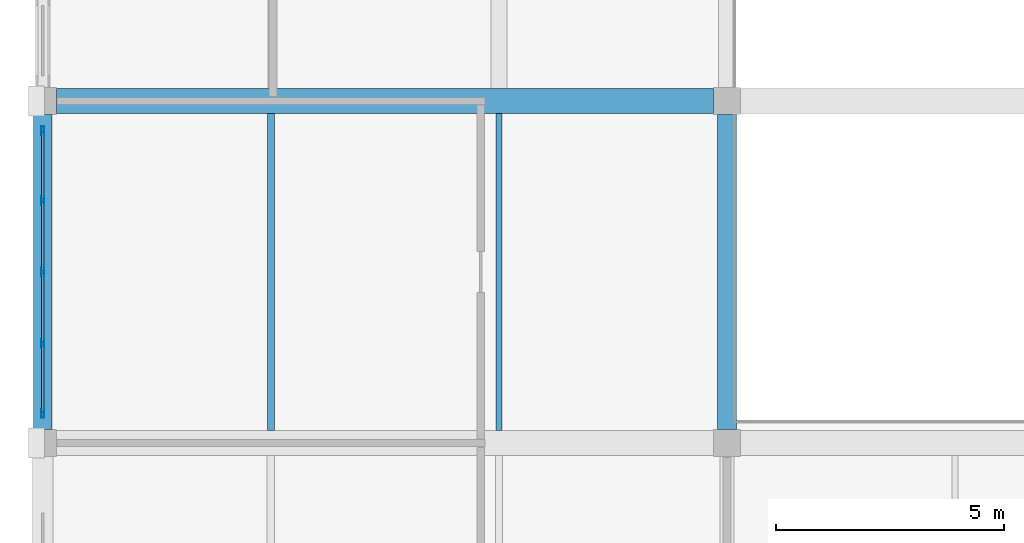
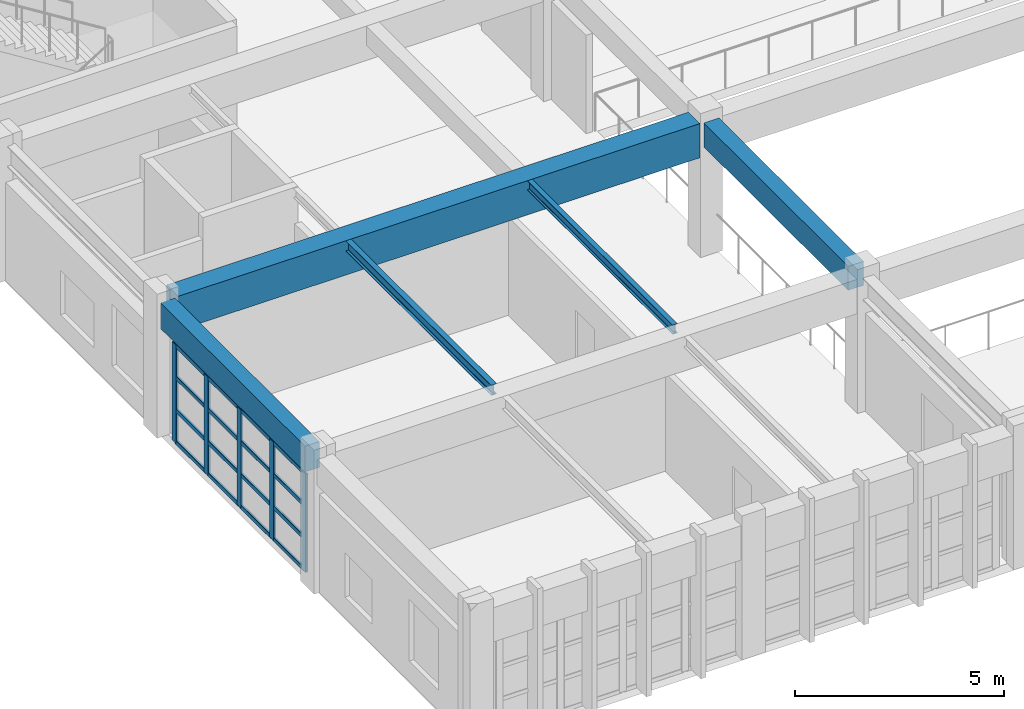
# One storey, part 4 of 124: 21 members, 5 beams, 1 element without a shape of its own.
"""IFC4 building model written with IfcOpenShell, lengths in metres."""

from ifc_helpers import new_model, si_unit, direction, frame, origin, origin_2d, place, context, subcontext, project, spatial, rectangle, hollow_rectangle, i_section, extrude, material, material_profile, profile_set, type_object, element, aggregate, save


model = new_model("IFC4")

# Units and contexts
model_context = context("Model", 3, precision=1e-05, world=origin(), true_north=direction((0.0, 1.0)))
body_context = subcontext(model_context, "Body", "Model", "MODEL_VIEW")
ifc_project = project(units=[si_unit("LENGTHUNIT", "METRE"), si_unit("AREAUNIT", "SQUARE_METRE"), si_unit("VOLUMEUNIT", "CUBIC_METRE"), si_unit("PLANEANGLEUNIT", "RADIAN"), si_unit("MASSUNIT", "GRAM", prefix="KILO")], contexts=[model_context])

# Site, building, storey
site_placement = place(None, origin())
site = spatial("IfcSite", under=ifc_project, at=site_placement, CompositionType="ELEMENT")
building_placement = place(site_placement, origin())
building = spatial("IfcBuilding", under=site, at=building_placement, Name="Qasida Concert Hall", CompositionType="ELEMENT")
storey_placement = place(building_placement, frame((0.0, 0.0, 9.0)))
storey = spatial("IfcBuildingStorey", under=building, at=storey_placement, Name="L02", CompositionType="ELEMENT", Elevation=9.0)

# Beams
ifc_material_1 = material(Name="Concrete C40/50", Category="concrete")
ifc_material_profile_1 = material_profile(ifc_material_1, rectangle(XDim=0.419921875, YDim=0.699951171875, at=origin_2d()), Name="RC 420x700")
ifc_profile_set_1 = profile_set([ifc_material_profile_1], Name="Concrete C40/50")
beam_type_1 = type_object("IfcBeamType", Name="BM-B11", PredefinedType="BEAM", material=ifc_profile_set_1)
beam_1_placement = place(storey_placement, frame((15.0, 7.800048828125, 3.550048828125), z_axis=(0.0, 1.0, 0.0), x_axis=(-1.0, 0.0, 0.0)))
element("IfcBeam", 1, at=beam_1_placement, inside=storey, type_object=beam_type_1, Name="L02 girder 1301", PredefinedType="BEAM", context=body_context, shape_type="SweptSolid", body=[
    extrude(rectangle(XDim=0.419921875, YDim=0.699951171875, at=origin_2d()), origin(), (0.0, 0.0, 1.0), 6.89990234375),
])
ifc_material_profile_2 = material_profile(ifc_material_1, rectangle(XDim=0.550048828125, YDim=1.0, at=origin_2d()), Name="RC 550x1000")
ifc_profile_set_2 = profile_set([ifc_material_profile_2], Name="Concrete C40/50")
beam_type_2 = type_object("IfcBeamType", Name="BM-G3", PredefinedType="USERDEFINED", material=ifc_profile_set_2)
beam_2_placement = place(storey_placement, frame((0.300048828125, 15.0, 3.39990234375), z_axis=(1.0, 0.0, 0.0), x_axis=(0.0, 1.0, 0.0)))
element("IfcBeam", 2, at=beam_2_placement, inside=storey, type_object=beam_type_2, Name="Primary girder 1275", ObjectType="GIRDER", PredefinedType="USERDEFINED", context=body_context, shape_type="SweptSolid", body=[
    extrude(rectangle(XDim=0.550048828125, YDim=1.0, at=origin_2d()), origin(), (0.0, 0.0, 1.0), 14.39990234375),
])
ifc_material_2 = material(Name="Steel S355J2", Category="steel")
ifc_material_profile_3 = material_profile(ifc_material_2, i_section(OverallWidth=0.14990234375, OverallDepth=0.300048828125, WebThickness=0.007080078125, FlangeThickness=0.0107421875, FilletRadius=0.014892578125, at=origin_2d()), Name="IPE 300")
ifc_profile_set_3 = profile_set([ifc_material_profile_3], Name="Steel S355J2")
beam_type_3 = type_object("IfcBeamType", Name="BM-J4", PredefinedType="JOIST", material=ifc_profile_set_3)
beam_3_placement = place(storey_placement, frame((5.0, 7.77490234375, 3.75), z_axis=(0.0, 1.0, 0.0), x_axis=(-1.0, 0.0, 0.0)))
element("IfcBeam", 3, at=beam_3_placement, inside=storey, type_object=beam_type_3, Name="L02 secondary joist 1323", PredefinedType="JOIST", context=body_context, shape_type="SweptSolid", body=[
    extrude(i_section(OverallWidth=0.14990234375, OverallDepth=0.300048828125, WebThickness=0.007080078125, FlangeThickness=0.0107421875, FilletRadius=0.014892578125, at=origin_2d()), origin(), (0.0, 0.0, 1.0), 6.9501953125),
])
ifc_material_profile_4 = material_profile(ifc_material_2, i_section(OverallWidth=0.135009765625, OverallDepth=0.27001953125, WebThickness=0.006591796875, FlangeThickness=0.01025390625, FilletRadius=0.014892578125, at=origin_2d()), Name="IPE 270")
ifc_profile_set_4 = profile_set([ifc_material_profile_4], Name="Steel S355J2")
beam_type_4 = type_object("IfcBeamType", Name="BM-J6", PredefinedType="JOIST", material=ifc_profile_set_4)
beam_4_placement = place(storey_placement, frame((10.0, 7.77490234375, 3.764892578125), z_axis=(0.0, 1.0, 0.0), x_axis=(-1.0, 0.0, 0.0)))
element("IfcBeam", 4, at=beam_4_placement, inside=storey, type_object=beam_type_4, Name="L02 secondary joist 1324", PredefinedType="JOIST", context=body_context, shape_type="SweptSolid", body=[
    extrude(i_section(OverallWidth=0.135009765625, OverallDepth=0.27001953125, WebThickness=0.006591796875, FlangeThickness=0.01025390625, FilletRadius=0.014892578125, at=origin_2d()), origin(), (0.0, 0.0, 1.0), 6.9501953125),
])
ifc_material_profile_5 = material_profile(ifc_material_1, rectangle(XDim=0.39990234375, YDim=0.75, at=origin_2d()), Name="RC 400x750")
ifc_profile_set_5 = profile_set([ifc_material_profile_5], Name="Concrete C40/50")
beam_type_5 = type_object("IfcBeamType", Name="BM-SP1", PredefinedType="SPANDREL", material=ifc_profile_set_5)
beam_5_placement = place(storey_placement, frame((0.0, 7.800048828125, 3.52490234375), z_axis=(0.0, 1.0, 0.0), x_axis=(-1.0, 0.0, 0.0)))
element("IfcBeam", 5, at=beam_5_placement, inside=storey, type_object=beam_type_5, Name="L02 girder 1294", PredefinedType="SPANDREL", context=body_context, shape_type="SweptSolid", body=[
    extrude(rectangle(XDim=0.39990234375, YDim=0.75, at=origin_2d()), origin(), (0.0, 0.0, 1.0), 6.89990234375),
])

# Curtain wall, members
ifc_material_3 = material(Name="Architectural bronze-anodized aluminium and low-E glass", Category="aluminium")
curtain_wall_type = type_object("IfcCurtainWallType", Name="CW-08", PredefinedType="NOTDEFINED", material=ifc_material_3)
curtain_wall_placement = place(storey_placement, origin())
curtain_wall = element("IfcCurtainWall", 6, at=curtain_wall_placement, inside=storey, type_object=curtain_wall_type, Name="L02 curtain wall CW-08 0110", PredefinedType="NOTDEFINED")
ifc_material_4 = material(Name="Architectural bronze-anodized aluminium EN AW-6063", Category="aluminium")
ifc_material_profile_6 = material_profile(ifc_material_4, hollow_rectangle(XDim=0.06494140625, YDim=0.199951171875, WallThickness=0.0048828125, InnerFilletRadius=0.0048828125, OuterFilletRadius=0.010009765625, at=origin_2d()), Name="CWM 200x65x5")
ifc_profile_set_6 = profile_set([ifc_material_profile_6], Name="Architectural bronze-anodized aluminium EN AW-6063")
member_type_1 = type_object("IfcMemberType", Name="MB-CWM-2", PredefinedType="MULLION", material=ifc_profile_set_6)
member_1_placement = place(storey_placement, frame((0.0, 8.152587890625, 0.0), z_axis=(0.0, 0.0, 1.0), x_axis=(-1.0, 0.0, 0.0)))
member_1 = element("IfcMember", 7, at=member_1_placement, type_object=member_type_1, Name="CW-08 mullion 1", PredefinedType="MULLION", context=body_context, shape_type="SweptSolid", body=[
    extrude(hollow_rectangle(XDim=0.06494140625, YDim=0.199951171875, WallThickness=0.0048828125, InnerFilletRadius=0.0048828125, OuterFilletRadius=0.010009765625, at=origin_2d()), origin(), (0.0, 0.0, 1.0), 2.8701171875),
])
member_2_placement = place(storey_placement, frame((0.0, 9.68505859375, 0.0), z_axis=(0.0, 0.0, 1.0), x_axis=(-1.0, 0.0, 0.0)))
member_2 = element("IfcMember", 8, at=member_2_placement, type_object=member_type_1, Name="CW-08 mullion 2", PredefinedType="MULLION", context=body_context, shape_type="SweptSolid", body=[
    extrude(hollow_rectangle(XDim=0.06494140625, YDim=0.199951171875, WallThickness=0.0048828125, InnerFilletRadius=0.0048828125, OuterFilletRadius=0.010009765625, at=origin_2d()), origin(), (0.0, 0.0, 1.0), 2.8701171875),
])
member_3_placement = place(storey_placement, frame((0.0, 11.25, 0.0), z_axis=(0.0, 0.0, 1.0), x_axis=(-1.0, 0.0, 0.0)))
member_3 = element("IfcMember", 9, at=member_3_placement, type_object=member_type_1, Name="CW-08 mullion 3", PredefinedType="MULLION", context=body_context, shape_type="SweptSolid", body=[
    extrude(hollow_rectangle(XDim=0.06494140625, YDim=0.199951171875, WallThickness=0.0048828125, InnerFilletRadius=0.0048828125, OuterFilletRadius=0.010009765625, at=origin_2d()), origin(), (0.0, 0.0, 1.0), 2.8701171875),
])
member_4_placement = place(storey_placement, frame((0.0, 12.81494140625, 0.0), z_axis=(0.0, 0.0, 1.0), x_axis=(-1.0, 0.0, 0.0)))
member_4 = element("IfcMember", 10, at=member_4_placement, type_object=member_type_1, Name="CW-08 mullion 4", PredefinedType="MULLION", context=body_context, shape_type="SweptSolid", body=[
    extrude(hollow_rectangle(XDim=0.06494140625, YDim=0.199951171875, WallThickness=0.0048828125, InnerFilletRadius=0.0048828125, OuterFilletRadius=0.010009765625, at=origin_2d()), origin(), (0.0, 0.0, 1.0), 2.8701171875),
])
member_5_placement = place(storey_placement, frame((0.0, 14.347412109375, 0.0), z_axis=(0.0, 0.0, 1.0), x_axis=(-1.0, 0.0, 0.0)))
member_5 = element("IfcMember", 11, at=member_5_placement, type_object=member_type_1, Name="CW-08 mullion 5", PredefinedType="MULLION", context=body_context, shape_type="SweptSolid", body=[
    extrude(hollow_rectangle(XDim=0.06494140625, YDim=0.199951171875, WallThickness=0.0048828125, InnerFilletRadius=0.0048828125, OuterFilletRadius=0.010009765625, at=origin_2d()), origin(), (0.0, 0.0, 1.0), 2.8701171875),
])
ifc_material_profile_7 = material_profile(ifc_material_4, hollow_rectangle(XDim=0.06005859375, YDim=0.1201171875, WallThickness=0.00390625, InnerFilletRadius=0.00390625, OuterFilletRadius=0.008056640625, at=origin_2d()), Name="CWT 120x60x4")
ifc_profile_set_7 = profile_set([ifc_material_profile_7], Name="Architectural bronze-anodized aluminium EN AW-6063")
member_type_2 = type_object("IfcMemberType", Name="MB-CWT-2", PredefinedType="USERDEFINED", material=ifc_profile_set_7)
member_6_placement = place(storey_placement, frame((0.0, 8.18505859375, 0.030029296875), z_axis=(0.0, 1.0, 0.0), x_axis=(-1.0, 0.0, 0.0)))
member_6 = element("IfcMember", 12, at=member_6_placement, type_object=member_type_2, Name="CW-08 transom 1.1", ObjectType="TRANSOM", PredefinedType="USERDEFINED", context=body_context, shape_type="SweptSolid", body=[
    extrude(hollow_rectangle(XDim=0.06005859375, YDim=0.1201171875, WallThickness=0.00390625, InnerFilletRadius=0.00390625, OuterFilletRadius=0.008056640625, at=origin_2d()), origin(), (0.0, 0.0, 1.0), 1.467529296875),
])
member_7_placement = place(storey_placement, frame((0.0, 8.18505859375, 0.956787109375), z_axis=(0.0, 1.0, 0.0), x_axis=(-1.0, 0.0, 0.0)))
member_7 = element("IfcMember", 13, at=member_7_placement, type_object=member_type_2, Name="CW-08 transom 1.2", ObjectType="TRANSOM", PredefinedType="USERDEFINED", context=body_context, shape_type="SweptSolid", body=[
    extrude(hollow_rectangle(XDim=0.06005859375, YDim=0.1201171875, WallThickness=0.00390625, InnerFilletRadius=0.00390625, OuterFilletRadius=0.008056640625, at=origin_2d()), origin(), (0.0, 0.0, 1.0), 1.467529296875),
])
member_8_placement = place(storey_placement, frame((0.0, 8.18505859375, 1.913330078125), z_axis=(0.0, 1.0, 0.0), x_axis=(-1.0, 0.0, 0.0)))
member_8 = element("IfcMember", 14, at=member_8_placement, type_object=member_type_2, Name="CW-08 transom 1.3", ObjectType="TRANSOM", PredefinedType="USERDEFINED", context=body_context, shape_type="SweptSolid", body=[
    extrude(hollow_rectangle(XDim=0.06005859375, YDim=0.1201171875, WallThickness=0.00390625, InnerFilletRadius=0.00390625, OuterFilletRadius=0.008056640625, at=origin_2d()), origin(), (0.0, 0.0, 1.0), 1.467529296875),
])
member_9_placement = place(storey_placement, frame((0.0, 8.18505859375, 2.840087890625), z_axis=(0.0, 1.0, 0.0), x_axis=(-1.0, 0.0, 0.0)))
member_9 = element("IfcMember", 15, at=member_9_placement, type_object=member_type_2, Name="CW-08 transom 1.4", ObjectType="TRANSOM", PredefinedType="USERDEFINED", context=body_context, shape_type="SweptSolid", body=[
    extrude(hollow_rectangle(XDim=0.06005859375, YDim=0.1201171875, WallThickness=0.00390625, InnerFilletRadius=0.00390625, OuterFilletRadius=0.008056640625, at=origin_2d()), origin(), (0.0, 0.0, 1.0), 1.467529296875),
])
member_10_placement = place(storey_placement, frame((0.0, 9.717529296875, 0.030029296875), z_axis=(0.0, 1.0, 0.0), x_axis=(-1.0, 0.0, 0.0)))
member_10 = element("IfcMember", 16, at=member_10_placement, type_object=member_type_2, Name="CW-08 transom 2.1", ObjectType="TRANSOM", PredefinedType="USERDEFINED", context=body_context, shape_type="SweptSolid", body=[
    extrude(hollow_rectangle(XDim=0.06005859375, YDim=0.1201171875, WallThickness=0.00390625, InnerFilletRadius=0.00390625, OuterFilletRadius=0.008056640625, at=origin_2d()), origin(), (0.0, 0.0, 1.0), 1.5),
])
member_11_placement = place(storey_placement, frame((0.0, 9.717529296875, 0.956787109375), z_axis=(0.0, 1.0, 0.0), x_axis=(-1.0, 0.0, 0.0)))
member_11 = element("IfcMember", 17, at=member_11_placement, type_object=member_type_2, Name="CW-08 transom 2.2", ObjectType="TRANSOM", PredefinedType="USERDEFINED", context=body_context, shape_type="SweptSolid", body=[
    extrude(hollow_rectangle(XDim=0.06005859375, YDim=0.1201171875, WallThickness=0.00390625, InnerFilletRadius=0.00390625, OuterFilletRadius=0.008056640625, at=origin_2d()), origin(), (0.0, 0.0, 1.0), 1.5),
])
member_12_placement = place(storey_placement, frame((0.0, 9.717529296875, 1.913330078125), z_axis=(0.0, 1.0, 0.0), x_axis=(-1.0, 0.0, 0.0)))
member_12 = element("IfcMember", 18, at=member_12_placement, type_object=member_type_2, Name="CW-08 transom 2.3", ObjectType="TRANSOM", PredefinedType="USERDEFINED", context=body_context, shape_type="SweptSolid", body=[
    extrude(hollow_rectangle(XDim=0.06005859375, YDim=0.1201171875, WallThickness=0.00390625, InnerFilletRadius=0.00390625, OuterFilletRadius=0.008056640625, at=origin_2d()), origin(), (0.0, 0.0, 1.0), 1.5),
])
member_13_placement = place(storey_placement, frame((0.0, 9.717529296875, 2.840087890625), z_axis=(0.0, 1.0, 0.0), x_axis=(-1.0, 0.0, 0.0)))
member_13 = element("IfcMember", 19, at=member_13_placement, type_object=member_type_2, Name="CW-08 transom 2.4", ObjectType="TRANSOM", PredefinedType="USERDEFINED", context=body_context, shape_type="SweptSolid", body=[
    extrude(hollow_rectangle(XDim=0.06005859375, YDim=0.1201171875, WallThickness=0.00390625, InnerFilletRadius=0.00390625, OuterFilletRadius=0.008056640625, at=origin_2d()), origin(), (0.0, 0.0, 1.0), 1.5),
])
member_14_placement = place(storey_placement, frame((0.0, 11.282470703125, 0.030029296875), z_axis=(0.0, 1.0, 0.0), x_axis=(-1.0, 0.0, 0.0)))
member_14 = element("IfcMember", 20, at=member_14_placement, type_object=member_type_2, Name="CW-08 transom 3.1", ObjectType="TRANSOM", PredefinedType="USERDEFINED", context=body_context, shape_type="SweptSolid", body=[
    extrude(hollow_rectangle(XDim=0.06005859375, YDim=0.1201171875, WallThickness=0.00390625, InnerFilletRadius=0.00390625, OuterFilletRadius=0.008056640625, at=origin_2d()), origin(), (0.0, 0.0, 1.0), 1.5),
])
member_15_placement = place(storey_placement, frame((0.0, 11.282470703125, 0.956787109375), z_axis=(0.0, 1.0, 0.0), x_axis=(-1.0, 0.0, 0.0)))
member_15 = element("IfcMember", 21, at=member_15_placement, type_object=member_type_2, Name="CW-08 transom 3.2", ObjectType="TRANSOM", PredefinedType="USERDEFINED", context=body_context, shape_type="SweptSolid", body=[
    extrude(hollow_rectangle(XDim=0.06005859375, YDim=0.1201171875, WallThickness=0.00390625, InnerFilletRadius=0.00390625, OuterFilletRadius=0.008056640625, at=origin_2d()), origin(), (0.0, 0.0, 1.0), 1.5),
])
member_16_placement = place(storey_placement, frame((0.0, 11.282470703125, 1.913330078125), z_axis=(0.0, 1.0, 0.0), x_axis=(-1.0, 0.0, 0.0)))
member_16 = element("IfcMember", 22, at=member_16_placement, type_object=member_type_2, Name="CW-08 transom 3.3", ObjectType="TRANSOM", PredefinedType="USERDEFINED", context=body_context, shape_type="SweptSolid", body=[
    extrude(hollow_rectangle(XDim=0.06005859375, YDim=0.1201171875, WallThickness=0.00390625, InnerFilletRadius=0.00390625, OuterFilletRadius=0.008056640625, at=origin_2d()), origin(), (0.0, 0.0, 1.0), 1.5),
])
member_17_placement = place(storey_placement, frame((0.0, 11.282470703125, 2.840087890625), z_axis=(0.0, 1.0, 0.0), x_axis=(-1.0, 0.0, 0.0)))
member_17 = element("IfcMember", 23, at=member_17_placement, type_object=member_type_2, Name="CW-08 transom 3.4", ObjectType="TRANSOM", PredefinedType="USERDEFINED", context=body_context, shape_type="SweptSolid", body=[
    extrude(hollow_rectangle(XDim=0.06005859375, YDim=0.1201171875, WallThickness=0.00390625, InnerFilletRadius=0.00390625, OuterFilletRadius=0.008056640625, at=origin_2d()), origin(), (0.0, 0.0, 1.0), 1.5),
])
member_18_placement = place(storey_placement, frame((0.0, 12.847412109375, 0.030029296875), z_axis=(0.0, 1.0, 0.0), x_axis=(-1.0, 0.0, 0.0)))
member_18 = element("IfcMember", 24, at=member_18_placement, type_object=member_type_2, Name="CW-08 transom 4.1", ObjectType="TRANSOM", PredefinedType="USERDEFINED", context=body_context, shape_type="SweptSolid", body=[
    extrude(hollow_rectangle(XDim=0.06005859375, YDim=0.1201171875, WallThickness=0.00390625, InnerFilletRadius=0.00390625, OuterFilletRadius=0.008056640625, at=origin_2d()), origin(), (0.0, 0.0, 1.0), 1.467529296875),
])
member_19_placement = place(storey_placement, frame((0.0, 12.847412109375, 0.956787109375), z_axis=(0.0, 1.0, 0.0), x_axis=(-1.0, 0.0, 0.0)))
member_19 = element("IfcMember", 25, at=member_19_placement, type_object=member_type_2, Name="CW-08 transom 4.2", ObjectType="TRANSOM", PredefinedType="USERDEFINED", context=body_context, shape_type="SweptSolid", body=[
    extrude(hollow_rectangle(XDim=0.06005859375, YDim=0.1201171875, WallThickness=0.00390625, InnerFilletRadius=0.00390625, OuterFilletRadius=0.008056640625, at=origin_2d()), origin(), (0.0, 0.0, 1.0), 1.467529296875),
])
member_20_placement = place(storey_placement, frame((0.0, 12.847412109375, 1.913330078125), z_axis=(0.0, 1.0, 0.0), x_axis=(-1.0, 0.0, 0.0)))
member_20 = element("IfcMember", 26, at=member_20_placement, type_object=member_type_2, Name="CW-08 transom 4.3", ObjectType="TRANSOM", PredefinedType="USERDEFINED", context=body_context, shape_type="SweptSolid", body=[
    extrude(hollow_rectangle(XDim=0.06005859375, YDim=0.1201171875, WallThickness=0.00390625, InnerFilletRadius=0.00390625, OuterFilletRadius=0.008056640625, at=origin_2d()), origin(), (0.0, 0.0, 1.0), 1.467529296875),
])
member_21_placement = place(storey_placement, frame((0.0, 12.847412109375, 2.840087890625), z_axis=(0.0, 1.0, 0.0), x_axis=(-1.0, 0.0, 0.0)))
member_21 = element("IfcMember", 27, at=member_21_placement, type_object=member_type_2, Name="CW-08 transom 4.4", ObjectType="TRANSOM", PredefinedType="USERDEFINED", context=body_context, shape_type="SweptSolid", body=[
    extrude(hollow_rectangle(XDim=0.06005859375, YDim=0.1201171875, WallThickness=0.00390625, InnerFilletRadius=0.00390625, OuterFilletRadius=0.008056640625, at=origin_2d()), origin(), (0.0, 0.0, 1.0), 1.467529296875),
])
aggregate(curtain_wall, [member_1, member_2, member_3, member_4, member_5, member_6, member_7, member_8, member_9, member_10, member_11, member_12, member_13, member_14, member_15, member_16, member_17, member_18, member_19, member_20, member_21])

save(model, "model.ifc")
